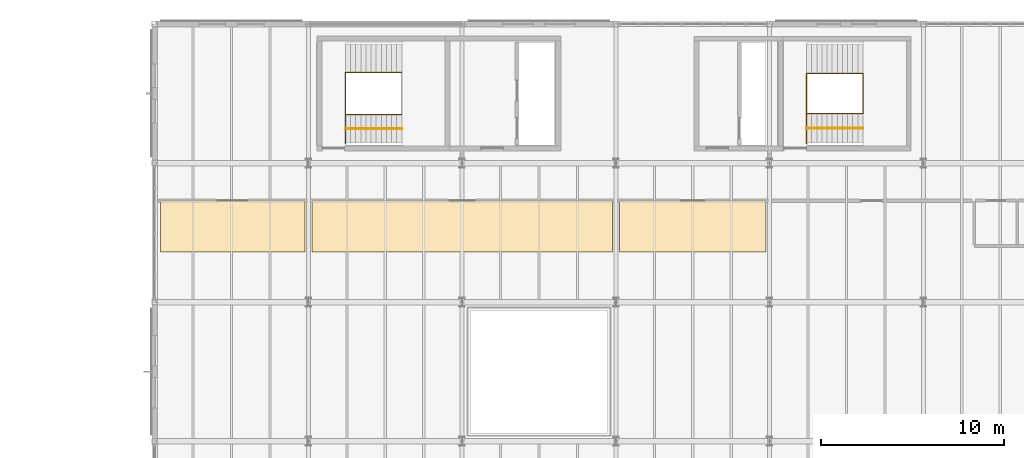
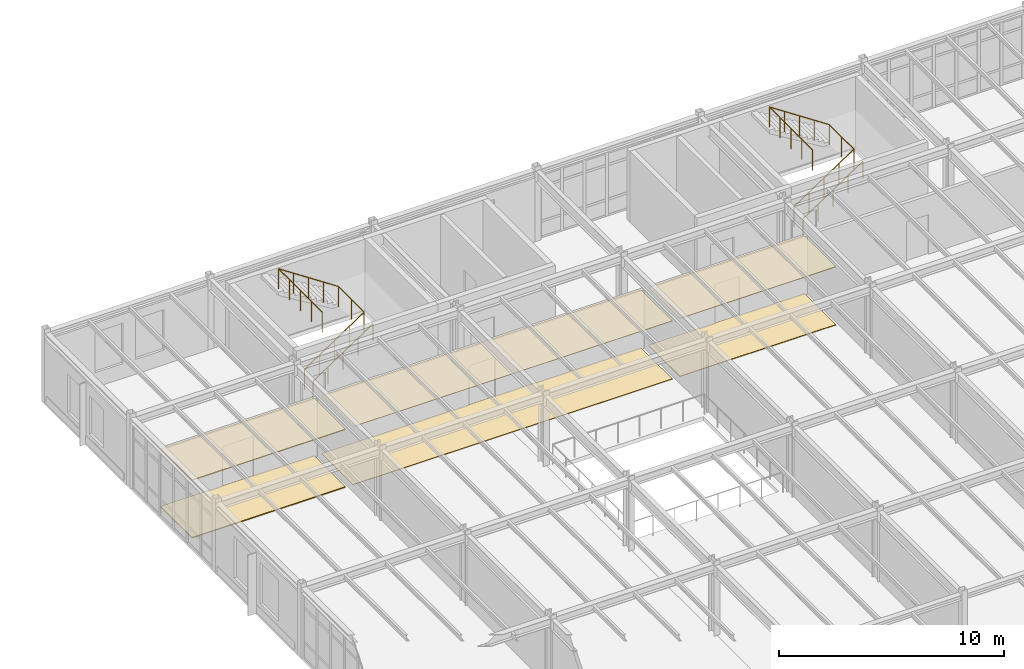
# One storey, part 161 of 165: 6 coverings, 4 railings.
"""IFC4 building model written with IfcOpenShell, lengths in metres."""

import ifcopenshell
import ifcopenshell.guid

model = None  # the IFC model being written
_history = None  # IfcOwnerHistory: only IFC2X3 demands one
_inside = {}  # id of a spatial element -> (the spatial element, [elements in it])
_under = {}  # id of a project, library or spatial element -> (it, [spatial elements below it])
_declared = {}  # id of a project -> (the project, [libraries it declares])
_typed = {}  # id of a type object -> (the type object, [elements of that type])
_made_of = {}  # id of a material, layer set ... -> (it, [elements and type objects made of it])


def new_model(schema):
    """Start an empty IFC model of exactly this schema.

    Asked for "IFC4X3", IfcOpenShell would pick the latest addendum, in which some entities
    have other attributes; the version numbers below select the first issue.
    IFC2X3 requires an IfcOwnerHistory on every rooted entity: one is made here for all.
    """
    global model, _history
    if schema == "IFC4X3":
        model = ifcopenshell.file(schema_version=(4, 3, 0, 0))
    else:
        model = ifcopenshell.file(schema=schema)
    _inside.clear()
    _under.clear()
    _declared.clear()
    _typed.clear()
    _made_of.clear()
    _history = None
    if model.schema == "IFC2X3":
        org = make("IfcOrganization", Name="unknown")
        user = make(
            "IfcPersonAndOrganization",
            ThePerson=make("IfcPerson", FamilyName="unknown"),
            TheOrganization=org,
        )
        app = make(
            "IfcApplication",
            ApplicationDeveloper=org,
            Version="unknown",
            ApplicationFullName="unknown",
            ApplicationIdentifier="unknown",
        )
        _history = make(
            "IfcOwnerHistory",
            OwningUser=user,
            OwningApplication=app,
            ChangeAction="ADDED",
            CreationDate=0,
        )
    return model


def make(cls, **values):
    """One entity of the class cls with the attributes given. An attribute that is None is left unset."""
    return model.create_entity(
        cls, **{name: value for name, value in values.items() if value is not None}
    )


def rooted(cls, **values):
    """An entity with a GlobalId (a new one), such as an element, a storey or a relation."""
    return make(cls, GlobalId=ifcopenshell.guid.new(), OwnerHistory=_history, **values)


def si_unit(unit_type, name, prefix=None):
    """IfcSIUnit, for example si_unit("LENGTHUNIT", "METRE", prefix="MILLI")."""
    return make("IfcSIUnit", UnitType=unit_type, Prefix=prefix, Name=name)


def assignment(units):
    """IfcUnitAssignment: the units of a project."""
    return None if units is None else make("IfcUnitAssignment", Units=units)


def point(xyz):
    """IfcCartesianPoint."""
    return None if xyz is None else make("IfcCartesianPoint", Coordinates=xyz)


def direction(xyz):
    """IfcDirection."""
    return None if xyz is None else make("IfcDirection", DirectionRatios=xyz)


def frame(location, z_axis=None, x_axis=None):
    """IfcAxis2Placement3D, a coordinate frame: its origin and axes. An axis left out is left unset."""
    return make(
        "IfcAxis2Placement3D",
        Location=point(location),
        Axis=direction(z_axis),
        RefDirection=direction(x_axis),
    )


def frame_2d(location, x_axis=None):
    """IfcAxis2Placement2D, a coordinate frame in the plane: its origin and x axis."""
    return make(
        "IfcAxis2Placement2D", Location=point(location), RefDirection=direction(x_axis)
    )


def origin():
    """The frame at (0, 0, 0) with its axes left unset."""
    return frame((0.0, 0.0, 0.0))


def origin_2d():
    """The frame at (0, 0) in the plane with its x axis left unset."""
    return frame_2d((0.0, 0.0))


def place(relative_to, where):
    """IfcLocalPlacement: puts the frame where relative to a parent placement (None: the world)."""
    return make(
        "IfcLocalPlacement", PlacementRelTo=relative_to, RelativePlacement=where
    )


def context(
    kind, dimensions, precision=None, world=None, true_north=None, identifier=None
):
    """IfcGeometricRepresentationContext, for example the 3D "Model" context."""
    return make(
        "IfcGeometricRepresentationContext",
        ContextIdentifier=identifier,
        ContextType=kind,
        CoordinateSpaceDimension=dimensions,
        Precision=precision,
        WorldCoordinateSystem=world,
        TrueNorth=true_north,
    )


def subcontext(parent, identifier, kind, view, scale=None):
    """IfcGeometricRepresentationSubContext, for example "Body" below "Model"."""
    return make(
        "IfcGeometricRepresentationSubContext",
        ContextIdentifier=identifier,
        ContextType=kind,
        ParentContext=parent,
        TargetScale=scale,
        TargetView=view,
    )


def project(units=None, contexts=None):
    """IfcProject with its units and contexts."""
    return rooted(
        "IfcProject",
        Name="project",
        RepresentationContexts=contexts,
        UnitsInContext=assignment(units),
    )


def spatial(cls, under=None, at=None, **own):
    """A site, building, storey or space (cls), placed at a placement, below another one or the project."""
    s = rooted(cls, ObjectPlacement=at, **own)
    if under is not None:
        _under.setdefault(under.id(), (under, []))[1].append(s)
    return s


def polyline(points):
    """IfcPolyline through the points."""
    return make("IfcPolyline", Points=[point(p) for p in points])


def profile(cls, at=None, kind="AREA", **sizes):
    """A parametric profile (cls). Its sizes go by their IFC names, for example OverallWidth=200.0."""
    return make(cls, ProfileType=kind, Position=at, **sizes)


def circle(**sizes):
    """IfcCircleProfileDef."""
    return profile("IfcCircleProfileDef", **sizes)


def outline(outer, holes=None, kind="AREA"):
    """IfcArbitraryClosedProfileDef: a profile drawn as a closed curve; with holes, ...WithVoids."""
    if holes is None:
        return make("IfcArbitraryClosedProfileDef", ProfileType=kind, OuterCurve=outer)
    return make(
        "IfcArbitraryProfileDefWithVoids",
        ProfileType=kind,
        OuterCurve=outer,
        InnerCurves=holes,
    )


def extrude(swept, where, along, depth):
    """IfcExtrudedAreaSolid: the profile swept, set in the frame where, extruded along a direction by depth."""
    return make(
        "IfcExtrudedAreaSolid",
        SweptArea=swept,
        Position=where,
        ExtrudedDirection=direction(along),
        Depth=depth,
    )


def shape(context_of_items, identifier, shape_type, items):
    """IfcShapeRepresentation: the items that make up one representation, for example the "Body"."""
    return make(
        "IfcShapeRepresentation",
        ContextOfItems=context_of_items,
        RepresentationIdentifier=identifier,
        RepresentationType=shape_type,
        Items=items,
    )


def material(Name=None, Category=None):
    """IfcMaterial."""
    return make("IfcMaterial", Name=Name, Category=Category)


def layer(
    of_material, thickness, ventilated=None, Name=None, Category=None, Priority=None
):
    """IfcMaterialLayer: one layer of a wall or slab, of a material (None: an air gap)."""
    return make(
        "IfcMaterialLayer",
        Material=of_material,
        LayerThickness=thickness,
        IsVentilated=ventilated,
        Name=Name,
        Category=Category,
        Priority=Priority,
    )


def layer_set(layers, Name=None):
    """IfcMaterialLayerSet."""
    return make("IfcMaterialLayerSet", MaterialLayers=layers, LayerSetName=Name)


def made_of(thing, what):
    """Note that an element or type object is made of a material, layer set ...; save() writes the relation."""
    if what is not None:
        _made_of.setdefault(what.id(), (what, []))[1].append(thing)
    return thing


def type_object(cls, material=None, **own):
    """A type object (cls), such as IfcWallType, which elements share."""
    return made_of(rooted(cls, **own), material)


def element(
    cls,
    number,
    at=None,
    inside=None,
    cuts=None,
    type_object=None,
    material=None,
    context=None,
    identifier="Body",
    shape_type=None,
    held_by="IfcProductDefinitionShape",
    body=None,
    shapes=None,
    **own,
):
    """One element of the class cls, such as IfcWall. Its Tag is "e" and its number.

    at: its placement. inside: the storey or other place that contains it. cuts: it is an
    opening in that element (IfcRelVoidsElement). A single representation is given by context,
    identifier, shape_type and body (its items); several are given by shapes. held_by: the class
    of the entity that holds the representations. save() writes the other relations.
    """
    e = rooted(cls, Tag="e%d" % number, ObjectPlacement=at, **own)
    if body is not None:
        shapes = [shape(context, identifier, shape_type, body)]
    if shapes is not None:
        e.Representation = make(held_by, Representations=shapes)
    if inside is not None:
        _inside.setdefault(inside.id(), (inside, []))[1].append(e)
    if cuts is not None:
        rooted(
            "IfcRelVoidsElement", RelatingBuildingElement=cuts, RelatedOpeningElement=e
        )
    if type_object is not None:
        _typed.setdefault(type_object.id(), (type_object, []))[1].append(e)
    return made_of(e, material)


def aggregate(whole, parts):
    """IfcRelAggregates: a whole, such as a stair, and the parts it consists of."""
    return rooted("IfcRelAggregates", RelatingObject=whole, RelatedObjects=parts)


def save(model, path):
    """Write the relations noted so far, then the file.

    IfcRelAggregates (storeys below a building ...), IfcRelContainedInSpatialStructure (elements
    in a storey), IfcRelDefinesByType, IfcRelAssociatesMaterial and IfcRelDeclares: one each for
    every whole, place, type object, material and project.
    """
    for whole, parts in _under.values():
        aggregate(whole, parts)
    for where, things in _inside.values():
        rooted(
            "IfcRelContainedInSpatialStructure",
            RelatedElements=things,
            RelatingStructure=where,
        )
    for kind, things in _typed.values():
        rooted("IfcRelDefinesByType", RelatedObjects=things, RelatingType=kind)
    for what, things in _made_of.values():
        rooted("IfcRelAssociatesMaterial", RelatedObjects=things, RelatingMaterial=what)
    for by, libraries in _declared.values():
        rooted("IfcRelDeclares", RelatingContext=by, RelatedDefinitions=libraries)
    model.write(path)


model = new_model("IFC4")

# Units and contexts
model_context = context("Model", 3, precision=1e-05, world=origin(), true_north=direction((0.0, 1.0)))
body_context = subcontext(model_context, "Body", "Model", "MODEL_VIEW")
ifc_project = project(units=[si_unit("LENGTHUNIT", "METRE"), si_unit("AREAUNIT", "SQUARE_METRE"), si_unit("VOLUMEUNIT", "CUBIC_METRE"), si_unit("PLANEANGLEUNIT", "RADIAN"), si_unit("MASSUNIT", "GRAM", prefix="KILO")], contexts=[model_context])

# Site, building, storey
site_placement = place(None, origin())
site = spatial("IfcSite", under=ifc_project, at=site_placement, CompositionType="ELEMENT")
building_placement = place(site_placement, origin())
building = spatial("IfcBuilding", under=site, at=building_placement, Name="Montecoro Central Library", CompositionType="ELEMENT")
storey_placement = place(building_placement, frame((0.0, 0.0, 5.10009765625)))
storey = spatial("IfcBuildingStorey", under=building, at=storey_placement, Name="L01", CompositionType="ELEMENT", Elevation=5.10009765625)

# Coverings
ifc_material_1 = material(Name="Acoustic perforated mineral ceiling")
ifc_layer_1 = layer(ifc_material_1, 0.02490234375)
ifc_layer_set_1 = layer_set([ifc_layer_1], Name="Acoustic perforated mineral ceiling")
covering_type_1 = type_object("IfcCoveringType", Name="COV-CLG-01", PredefinedType="CEILING", material=ifc_layer_set_1)
covering_1_placement = place(storey_placement, frame((0.0, 0.0, 3.15478515625)))
element("IfcCovering", 1, at=covering_1_placement, inside=storey, type_object=covering_type_1, Name="CLG-SP-V2-L01-R2P1", PredefinedType="CEILING", context=body_context, shape_type="SweptSolid", body=[
    extrude(outline(polyline([(74.989990234375, 106.550048828125), (91.409912109375, 106.550048828125), (91.409912109375, 109.35009765625), (74.989990234375, 109.35009765625), (74.989990234375, 106.550048828125)])), origin(), (0.0, 0.0, 1.0), 0.025146484375),
])
ifc_layer_2 = layer(ifc_material_1, 0.031982421875)
ifc_layer_set_2 = layer_set([ifc_layer_2], Name="Acoustic perforated mineral ceiling")
covering_type_2 = type_object("IfcCoveringType", Name="COV-CLG-02", PredefinedType="CEILING", material=ifc_layer_set_2)
covering_2_placement = place(storey_placement, frame((0.0, 0.0, 3.14794921875)))
element("IfcCovering", 2, at=covering_2_placement, inside=storey, type_object=covering_type_2, Name="CLG-SP-V2-L01-R3P1", PredefinedType="CEILING", context=body_context, shape_type="SweptSolid", body=[
    extrude(outline(polyline([(91.7900390625, 106.550048828125), (99.81005859375, 106.550048828125), (99.81005859375, 109.35009765625), (91.7900390625, 109.35009765625), (91.7900390625, 106.550048828125)])), origin(), (0.0, 0.0, 1.0), 0.031982421875),
])
ifc_layer_3 = layer(ifc_material_1, 0.048095703125)
ifc_layer_set_3 = layer_set([ifc_layer_3], Name="Acoustic perforated mineral ceiling")
covering_type_3 = type_object("IfcCoveringType", Name="COV-CLG-04", PredefinedType="CEILING", material=ifc_layer_set_3)
covering_3_placement = place(storey_placement, frame((0.0, 0.0, 3.1318359375)))
element("IfcCovering", 3, at=covering_3_placement, inside=storey, type_object=covering_type_3, Name="CLG-SP-V2-L01-R1P1", PredefinedType="CEILING", context=body_context, shape_type="SweptSolid", body=[
    extrude(outline(polyline([(66.719970703125, 106.550048828125), (74.610107421875, 106.550048828125), (74.610107421875, 109.35009765625), (66.719970703125, 109.35009765625), (66.719970703125, 106.550048828125)])), origin(), (0.0, 0.0, 1.0), 0.048095703125),
])
ifc_material_2 = material(Name="Neapolitan brass-inlaid terrazzo flooring")
ifc_layer_4 = layer(ifc_material_2, 0.028076171875)
ifc_layer_set_4 = layer_set([ifc_layer_4], Name="Neapolitan brass-inlaid terrazzo flooring")
covering_type_4 = type_object("IfcCoveringType", Name="COV-FLR-01", PredefinedType="FLOORING", material=ifc_layer_set_4)
covering_4_placement = place(storey_placement, origin())
element("IfcCovering", 4, at=covering_4_placement, inside=storey, type_object=covering_type_4, Name="FLR-SP-V2-L01-R2P1", PredefinedType="FLOORING", context=body_context, shape_type="SweptSolid", body=[
    extrude(outline(polyline([(74.989990234375, 106.550048828125), (91.409912109375, 106.550048828125), (91.409912109375, 109.35009765625), (74.989990234375, 109.35009765625), (74.989990234375, 106.550048828125)])), origin(), (0.0, 0.0, 1.0), 0.02783203125),
])
ifc_layer_5 = layer(ifc_material_2, 0.035888671875)
ifc_layer_set_5 = layer_set([ifc_layer_5], Name="Neapolitan brass-inlaid terrazzo flooring")
covering_type_5 = type_object("IfcCoveringType", Name="COV-FLR-02", PredefinedType="FLOORING", material=ifc_layer_set_5)
covering_5_placement = place(storey_placement, origin())
element("IfcCovering", 5, at=covering_5_placement, inside=storey, type_object=covering_type_5, Name="FLR-SP-V2-L01-R3P1", PredefinedType="FLOORING", context=body_context, shape_type="SweptSolid", body=[
    extrude(outline(polyline([(91.7900390625, 106.550048828125), (99.81005859375, 106.550048828125), (99.81005859375, 109.35009765625), (91.7900390625, 109.35009765625), (91.7900390625, 106.550048828125)])), origin(), (0.0, 0.0, 1.0), 0.035888671875),
])
ifc_layer_6 = layer(ifc_material_2, 0.052001953125)
ifc_layer_set_6 = layer_set([ifc_layer_6], Name="Neapolitan brass-inlaid terrazzo flooring")
covering_type_6 = type_object("IfcCoveringType", Name="COV-FLR-04", PredefinedType="FLOORING", material=ifc_layer_set_6)
covering_6_placement = place(storey_placement, origin())
element("IfcCovering", 6, at=covering_6_placement, inside=storey, type_object=covering_type_6, Name="FLR-SP-V2-L01-R1P1", PredefinedType="FLOORING", context=body_context, shape_type="SweptSolid", body=[
    extrude(outline(polyline([(66.719970703125, 106.550048828125), (74.610107421875, 106.550048828125), (74.610107421875, 109.35009765625), (66.719970703125, 109.35009765625), (66.719970703125, 106.550048828125)])), origin(), (0.0, 0.0, 1.0), 0.052001953125),
])

# Railings
ifc_material_3 = material(Name="Brushed stainless steel and bronze balustrade", Category="steel")
railing_type_1 = type_object("IfcRailingType", Name="GRD-INT-110", PredefinedType="GUARDRAIL", material=ifc_material_3)
railing_1_placement = place(storey_placement, frame((76.820068359375, 114.050048828125, 0.0)))
element("IfcRailing", 7, at=railing_1_placement, inside=storey, type_object=railing_type_1, Name="C2-L01-STR-GRD", PredefinedType="GUARDRAIL", context=body_context, shape_type="SweptSolid", body=[
    extrude(circle(Radius=0.02392578125, at=origin_2d()), frame((0.0, 0.0, 1.09619140625), z_axis=(0.833724155633, 0.0, 0.552181158963), x_axis=(0.0, 1.0, 0.0)), (0.0, 0.0, 1.0), 3.694091796875),
    extrude(circle(Radius=0.02392578125, at=origin_2d()), frame((3.079833984375, 0.0, 3.1357421875), z_axis=(0.0, 1.0, 0.0), x_axis=(-1.0, 0.0, 0.0)), (0.0, 0.0, 1.0), 2.300048828125),
    extrude(circle(Radius=0.02392578125, at=origin_2d()), frame((3.079833984375, 2.300048828125, 3.1357421875), z_axis=(-0.833693729882, 0.0, 0.552227095275), x_axis=(0.0, -1.0, 0.0)), (0.0, 0.0, 1.0), 3.694091796875),
    extrude(circle(Radius=0.02392578125, at=origin_2d()), frame((0.0, 2.300048828125, 5.17578125), z_axis=(0.0, -1.0, 0.0), x_axis=(1.0, 0.0, 0.0)), (0.0, 0.0, 1.0), 3.900146484375),
    extrude(circle(Radius=0.02099609375, at=origin_2d()), origin(), (0.0, 0.0, 1.0), 1.072021484375),
    extrude(circle(Radius=0.02099609375, at=origin_2d()), frame((0.77001953125, 0.0, 0.510009765625)), (0.0, 0.0, 1.0), 1.072021484375),
    extrude(circle(Radius=0.02099609375, at=origin_2d()), frame((1.5400390625, 0.0, 1.02001953125)), (0.0, 0.0, 1.0), 1.072021484375),
    extrude(circle(Radius=0.02099609375, at=origin_2d()), frame((2.309814453125, 0.0, 1.52978515625)), (0.0, 0.0, 1.0), 1.072021484375),
    extrude(circle(Radius=0.02099609375, at=origin_2d()), frame((3.079833984375, 0.0, 2.039794921875)), (0.0, 0.0, 1.0), 1.072021484375),
    extrude(circle(Radius=0.02099609375, at=origin_2d()), frame((3.079833984375, 1.14990234375, 2.039794921875)), (0.0, 0.0, 1.0), 1.072021484375),
    extrude(circle(Radius=0.02099609375, at=origin_2d()), frame((3.079833984375, 2.300048828125, 2.039794921875)), (0.0, 0.0, 1.0), 1.072021484375),
    extrude(circle(Radius=0.02099609375, at=origin_2d()), frame((2.309814453125, 2.300048828125, 2.5498046875)), (0.0, 0.0, 1.0), 1.072021484375),
    extrude(circle(Radius=0.02099609375, at=origin_2d()), frame((1.5400390625, 2.300048828125, 3.059814453125)), (0.0, 0.0, 1.0), 1.072021484375),
    extrude(circle(Radius=0.02099609375, at=origin_2d()), frame((0.77001953125, 2.300048828125, 3.56982421875)), (0.0, 0.0, 1.0), 1.072021484375),
    extrude(circle(Radius=0.02099609375, at=origin_2d()), frame((0.0, 2.300048828125, 4.079833984375)), (0.0, 0.0, 1.0), 1.072021484375),
    extrude(circle(Radius=0.02099609375, at=origin_2d()), frame((0.0, 1.324951171875, 4.079833984375)), (0.0, 0.0, 1.0), 1.072021484375),
    extrude(circle(Radius=0.02099609375, at=origin_2d()), frame((0.0, 0.35009765625, 4.079833984375)), (0.0, 0.0, 1.0), 1.072021484375),
    extrude(circle(Radius=0.02099609375, at=origin_2d()), frame((0.0, -0.625, 4.079833984375)), (0.0, 0.0, 1.0), 1.072021484375),
    extrude(circle(Radius=0.02099609375, at=origin_2d()), frame((0.0, -1.60009765625, 4.079833984375)), (0.0, 0.0, 1.0), 1.072021484375),
])
railing_2_placement = place(storey_placement, frame((102.02001953125, 114.10009765625, 0.0)))
element("IfcRailing", 8, at=railing_2_placement, inside=storey, type_object=railing_type_1, Name="C3-L01-STR-GRD", PredefinedType="GUARDRAIL", context=body_context, shape_type="SweptSolid", body=[
    extrude(circle(Radius=0.02392578125, at=origin_2d()), frame((0.0, 0.0, 1.09619140625), z_axis=(0.833744305047, 0.0, 0.552150734675), x_axis=(0.0, 1.0, 0.0)), (0.0, 0.0, 1.0), 3.6943359375),
    extrude(circle(Radius=0.02392578125, at=origin_2d()), frame((3.080078125, 0.0, 3.1357421875), z_axis=(0.0, 1.0, 0.0), x_axis=(-1.0, 0.0, 0.0)), (0.0, 0.0, 1.0), 2.199951171875),
    extrude(circle(Radius=0.02392578125, at=origin_2d()), frame((3.080078125, 2.199951171875, 3.1357421875), z_axis=(-0.833713881912, 0.0, 0.552196670677), x_axis=(0.0, -1.0, 0.0)), (0.0, 0.0, 1.0), 3.6943359375),
    extrude(circle(Radius=0.02392578125, at=origin_2d()), frame((0.0, 2.199951171875, 5.17578125), z_axis=(0.0, -1.0, 0.0), x_axis=(1.0, 0.0, 0.0)), (0.0, 0.0, 1.0), 3.85009765625),
    extrude(circle(Radius=0.02099609375, at=origin_2d()), origin(), (0.0, 0.0, 1.0), 1.072021484375),
    extrude(circle(Radius=0.02099609375, at=origin_2d()), frame((0.77001953125, 0.0, 0.510009765625)), (0.0, 0.0, 1.0), 1.072021484375),
    extrude(circle(Radius=0.02099609375, at=origin_2d()), frame((1.5400390625, 0.0, 1.02001953125)), (0.0, 0.0, 1.0), 1.072021484375),
    extrude(circle(Radius=0.02099609375, at=origin_2d()), frame((2.31005859375, 0.0, 1.52978515625)), (0.0, 0.0, 1.0), 1.072021484375),
    extrude(circle(Radius=0.02099609375, at=origin_2d()), frame((3.080078125, 0.0, 2.039794921875)), (0.0, 0.0, 1.0), 1.072021484375),
    extrude(circle(Radius=0.02099609375, at=origin_2d()), frame((3.080078125, 1.10009765625, 2.039794921875)), (0.0, 0.0, 1.0), 1.072021484375),
    extrude(circle(Radius=0.02099609375, at=origin_2d()), frame((3.080078125, 2.199951171875, 2.039794921875)), (0.0, 0.0, 1.0), 1.072021484375),
    extrude(circle(Radius=0.02099609375, at=origin_2d()), frame((2.31005859375, 2.199951171875, 2.5498046875)), (0.0, 0.0, 1.0), 1.072021484375),
    extrude(circle(Radius=0.02099609375, at=origin_2d()), frame((1.5400390625, 2.199951171875, 3.059814453125)), (0.0, 0.0, 1.0), 1.072021484375),
    extrude(circle(Radius=0.02099609375, at=origin_2d()), frame((0.77001953125, 2.199951171875, 3.56982421875)), (0.0, 0.0, 1.0), 1.072021484375),
    extrude(circle(Radius=0.02099609375, at=origin_2d()), frame((0.0, 2.199951171875, 4.079833984375)), (0.0, 0.0, 1.0), 1.072021484375),
    extrude(circle(Radius=0.02099609375, at=origin_2d()), frame((0.0, 1.2373046875, 4.079833984375)), (0.0, 0.0, 1.0), 1.072021484375),
    extrude(circle(Radius=0.02099609375, at=origin_2d()), frame((0.0, 0.27490234375, 4.079833984375)), (0.0, 0.0, 1.0), 1.072021484375),
    extrude(circle(Radius=0.02099609375, at=origin_2d()), frame((0.0, -0.6875, 4.079833984375)), (0.0, 0.0, 1.0), 1.072021484375),
    extrude(circle(Radius=0.02099609375, at=origin_2d()), frame((0.0, -1.650146484375, 4.079833984375)), (0.0, 0.0, 1.0), 1.072021484375),
])
ifc_material_4 = material(Name="Brushed architectural bronze handrail")
railing_type_2 = type_object("IfcRailingType", Name="HRL-STR-095", PredefinedType="HANDRAIL", material=ifc_material_4)
railing_3_placement = place(storey_placement, frame((76.820068359375, 113.27490234375, 0.0)))
element("IfcRailing", 9, at=railing_3_placement, inside=storey, type_object=railing_type_2, Name="C2-L01-STR-HR1", PredefinedType="HANDRAIL", context=body_context, shape_type="SweptSolid", body=[
    extrude(circle(Radius=0.02392578125, at=origin_2d()), frame((0.0, 0.0, 0.92578125), z_axis=(0.833724155633, 0.0, 0.552181158963), x_axis=(0.0, 1.0, 0.0)), (0.0, 0.0, 1.0), 3.694091796875),
    extrude(circle(Radius=0.02099609375, at=origin_2d()), origin(), (0.0, 0.0, 1.0), 0.90185546875),
    extrude(circle(Radius=0.02099609375, at=origin_2d()), frame((0.77001953125, 0.0, 0.510009765625)), (0.0, 0.0, 1.0), 0.90185546875),
    extrude(circle(Radius=0.02099609375, at=origin_2d()), frame((1.5400390625, 0.0, 1.02001953125)), (0.0, 0.0, 1.0), 0.90185546875),
    extrude(circle(Radius=0.02099609375, at=origin_2d()), frame((2.309814453125, 0.0, 1.52978515625)), (0.0, 0.0, 1.0), 0.90185546875),
    extrude(circle(Radius=0.02099609375, at=origin_2d()), frame((3.079833984375, 0.0, 2.039794921875)), (0.0, 0.0, 1.0), 0.90185546875),
])
railing_4_placement = place(storey_placement, frame((102.02001953125, 113.300048828125, 0.0)))
element("IfcRailing", 10, at=railing_4_placement, inside=storey, type_object=railing_type_2, Name="C3-L01-STR-HR1", PredefinedType="HANDRAIL", context=body_context, shape_type="SweptSolid", body=[
    extrude(circle(Radius=0.02392578125, at=origin_2d()), frame((0.0, 0.0, 0.92578125), z_axis=(0.833744305047, 0.0, 0.552150734675), x_axis=(0.0, 1.0, 0.0)), (0.0, 0.0, 1.0), 3.6943359375),
    extrude(circle(Radius=0.02099609375, at=origin_2d()), origin(), (0.0, 0.0, 1.0), 0.90185546875),
    extrude(circle(Radius=0.02099609375, at=origin_2d()), frame((0.77001953125, 0.0, 0.510009765625)), (0.0, 0.0, 1.0), 0.90185546875),
    extrude(circle(Radius=0.02099609375, at=origin_2d()), frame((1.5400390625, 0.0, 1.02001953125)), (0.0, 0.0, 1.0), 0.90185546875),
    extrude(circle(Radius=0.02099609375, at=origin_2d()), frame((2.31005859375, 0.0, 1.52978515625)), (0.0, 0.0, 1.0), 0.90185546875),
    extrude(circle(Radius=0.02099609375, at=origin_2d()), frame((3.080078125, 0.0, 2.039794921875)), (0.0, 0.0, 1.0), 0.90185546875),
])

save(model, "model.ifc")
